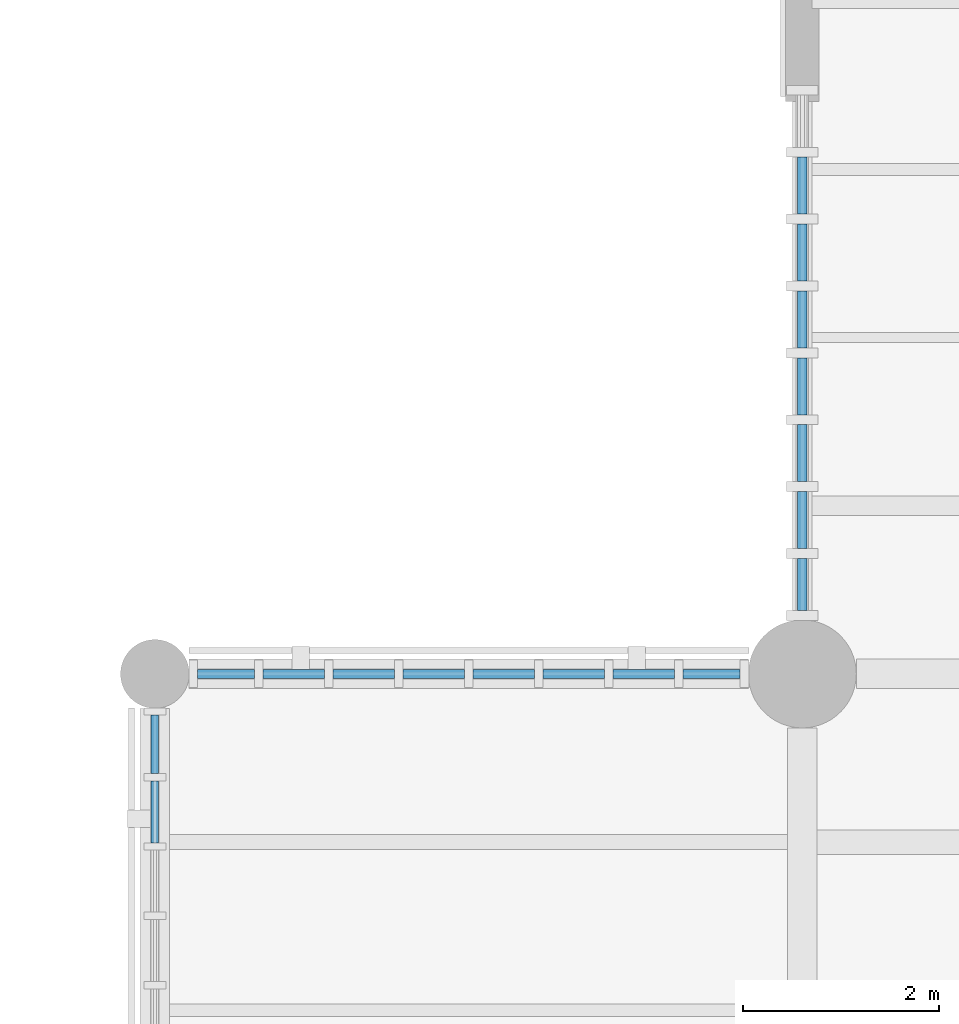
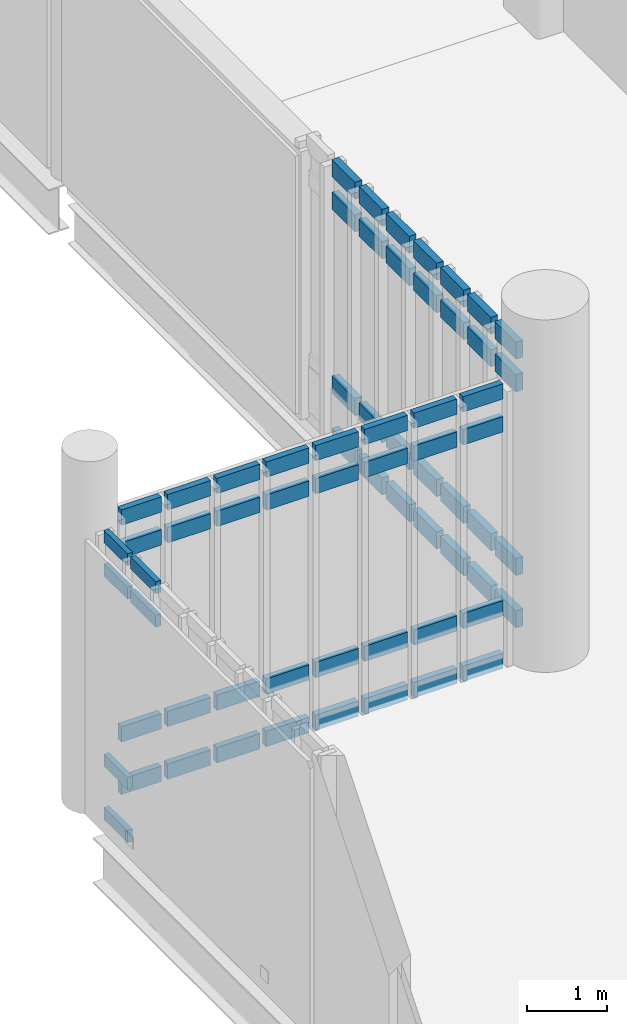
# One storey, part 53 of 135: 66 members, 3 elements without a shape of their own.
"""IFC4 building model written with IfcOpenShell, lengths in metres."""

from ifc_helpers import new_model, si_unit, direction, frame, origin, origin_2d, place, context, subcontext, project, spatial, rectangle, extrude, material, material_profile, profile_set, type_object, element, aggregate, save


model = new_model("IFC4")

# Units and contexts
model_context = context("Model", 3, precision=1e-05, world=origin(), true_north=direction((0.0, 1.0)))
body_context = subcontext(model_context, "Body", "Model", "MODEL_VIEW")
ifc_project = project(units=[si_unit("LENGTHUNIT", "METRE"), si_unit("AREAUNIT", "SQUARE_METRE"), si_unit("VOLUMEUNIT", "CUBIC_METRE"), si_unit("PLANEANGLEUNIT", "RADIAN"), si_unit("MASSUNIT", "GRAM", prefix="KILO")], contexts=[model_context])

# Site, building, storey
site_placement = place(None, origin())
site = spatial("IfcSite", under=ifc_project, at=site_placement, CompositionType="ELEMENT")
building_placement = place(site_placement, origin())
building = spatial("IfcBuilding", under=site, at=building_placement, Name="Larkvane Passage Sports Hall", CompositionType="ELEMENT")
storey_placement = place(building_placement, frame((0.0, 0.0, 16.800048828125)))
storey = spatial("IfcBuildingStorey", under=building, at=storey_placement, Name="L03", CompositionType="ELEMENT", Elevation=16.800048828125)

# Curtain wall, members
ifc_material_1 = material(Name="Thermally broken aluminium and low-E glazing", Category="aluminium")
curtain_wall_type_1 = type_object("IfcCurtainWallType", Name="CW-CLINIC", PredefinedType="USERDEFINED", material=ifc_material_1)
curtain_wall_1_placement = place(storey_placement, origin())
curtain_wall_1 = element("IfcCurtainWall", 1, at=curtain_wall_1_placement, inside=storey, type_object=curtain_wall_type_1, Name="Curtain wall CW5-L03-123", ObjectType="UNITISED CURTAIN WALL", PredefinedType="USERDEFINED")
ifc_material_2 = material(Name="Anodised aluminium 6063-T6", Category="aluminium")
ifc_material_profile_1 = material_profile(ifc_material_2, rectangle(XDim=0.10009765625, YDim=0.260009765625, at=origin_2d()), Name="ALU-TRN-100x260")
ifc_profile_set_1 = profile_set([ifc_material_profile_1], Name="Anodised aluminium 6063-T6")
member_type_1 = type_object("IfcMemberType", Name="CW-TRN-100x260", PredefinedType="USERDEFINED", material=ifc_profile_set_1)
member_1_placement = place(storey_placement, frame((124.60009765625, 52.24609375, 0.050048828125), z_axis=(0.0, 1.0, 0.0), x_axis=(-1.0, 0.0, 0.0)))
member_1 = element("IfcMember", 2, at=member_1_placement, type_object=member_type_1, Name="CW-05 transom 1.1", ObjectType="TRANSOM", PredefinedType="USERDEFINED", context=body_context, shape_type="SweptSolid", body=[
    extrude(rectangle(XDim=0.10009765625, YDim=0.260009765625, at=origin_2d()), origin(), (0.0, 0.0, 1.0), 0.53173828125),
])
member_2_placement = place(storey_placement, frame((124.60009765625, 52.24609375, 0.849853515625), z_axis=(0.0, 1.0, 0.0), x_axis=(-1.0, 0.0, 0.0)))
member_2 = element("IfcMember", 3, at=member_2_placement, type_object=member_type_1, Name="CW-05 transom 1.2", ObjectType="TRANSOM", PredefinedType="USERDEFINED", context=body_context, shape_type="SweptSolid", body=[
    extrude(rectangle(XDim=0.10009765625, YDim=0.260009765625, at=origin_2d()), origin(), (0.0, 0.0, 1.0), 0.53173828125),
])
member_3_placement = place(storey_placement, frame((124.60009765625, 52.24609375, 3.666015625), z_axis=(0.0, 1.0, 0.0), x_axis=(-1.0, 0.0, 0.0)))
member_3 = element("IfcMember", 4, at=member_3_placement, type_object=member_type_1, Name="CW-05 transom 1.3", ObjectType="TRANSOM", PredefinedType="USERDEFINED", context=body_context, shape_type="SweptSolid", body=[
    extrude(rectangle(XDim=0.10009765625, YDim=0.260009765625, at=origin_2d()), origin(), (0.0, 0.0, 1.0), 0.53173828125),
])
member_4_placement = place(storey_placement, frame((124.60009765625, 52.24609375, 4.166015625), z_axis=(0.0, 1.0, 0.0), x_axis=(-1.0, 0.0, 0.0)))
member_4 = element("IfcMember", 5, at=member_4_placement, type_object=member_type_1, Name="CW-05 transom 1.4", ObjectType="TRANSOM", PredefinedType="USERDEFINED", context=body_context, shape_type="SweptSolid", body=[
    extrude(rectangle(XDim=0.10009765625, YDim=0.260009765625, at=origin_2d()), origin(), (0.0, 0.0, 1.0), 0.53173828125),
])
member_5_placement = place(storey_placement, frame((124.60009765625, 52.877685546875, 0.050048828125), z_axis=(0.0, 1.0, 0.0), x_axis=(-1.0, 0.0, 0.0)))
member_5 = element("IfcMember", 6, at=member_5_placement, type_object=member_type_1, Name="CW-05 transom 2.1", ObjectType="TRANSOM", PredefinedType="USERDEFINED", context=body_context, shape_type="SweptSolid", body=[
    extrude(rectangle(XDim=0.10009765625, YDim=0.260009765625, at=origin_2d()), origin(), (0.0, 0.0, 1.0), 0.581787109375),
])
member_6_placement = place(storey_placement, frame((124.60009765625, 52.877685546875, 0.849853515625), z_axis=(0.0, 1.0, 0.0), x_axis=(-1.0, 0.0, 0.0)))
member_6 = element("IfcMember", 7, at=member_6_placement, type_object=member_type_1, Name="CW-05 transom 2.2", ObjectType="TRANSOM", PredefinedType="USERDEFINED", context=body_context, shape_type="SweptSolid", body=[
    extrude(rectangle(XDim=0.10009765625, YDim=0.260009765625, at=origin_2d()), origin(), (0.0, 0.0, 1.0), 0.581787109375),
])
member_7_placement = place(storey_placement, frame((124.60009765625, 52.877685546875, 3.666015625), z_axis=(0.0, 1.0, 0.0), x_axis=(-1.0, 0.0, 0.0)))
member_7 = element("IfcMember", 8, at=member_7_placement, type_object=member_type_1, Name="CW-05 transom 2.3", ObjectType="TRANSOM", PredefinedType="USERDEFINED", context=body_context, shape_type="SweptSolid", body=[
    extrude(rectangle(XDim=0.10009765625, YDim=0.260009765625, at=origin_2d()), origin(), (0.0, 0.0, 1.0), 0.581787109375),
])
member_8_placement = place(storey_placement, frame((124.60009765625, 52.877685546875, 4.166015625), z_axis=(0.0, 1.0, 0.0), x_axis=(-1.0, 0.0, 0.0)))
member_8 = element("IfcMember", 9, at=member_8_placement, type_object=member_type_1, Name="CW-05 transom 2.4", ObjectType="TRANSOM", PredefinedType="USERDEFINED", context=body_context, shape_type="SweptSolid", body=[
    extrude(rectangle(XDim=0.10009765625, YDim=0.260009765625, at=origin_2d()), origin(), (0.0, 0.0, 1.0), 0.581787109375),
])
member_9_placement = place(storey_placement, frame((124.60009765625, 53.5595703125, 0.050048828125), z_axis=(0.0, 1.0, 0.0), x_axis=(-1.0, 0.0, 0.0)))
member_9 = element("IfcMember", 10, at=member_9_placement, type_object=member_type_1, Name="CW-05 transom 3.1", ObjectType="TRANSOM", PredefinedType="USERDEFINED", context=body_context, shape_type="SweptSolid", body=[
    extrude(rectangle(XDim=0.10009765625, YDim=0.260009765625, at=origin_2d()), origin(), (0.0, 0.0, 1.0), 0.581787109375),
])
member_10_placement = place(storey_placement, frame((124.60009765625, 53.5595703125, 0.849853515625), z_axis=(0.0, 1.0, 0.0), x_axis=(-1.0, 0.0, 0.0)))
member_10 = element("IfcMember", 11, at=member_10_placement, type_object=member_type_1, Name="CW-05 transom 3.2", ObjectType="TRANSOM", PredefinedType="USERDEFINED", context=body_context, shape_type="SweptSolid", body=[
    extrude(rectangle(XDim=0.10009765625, YDim=0.260009765625, at=origin_2d()), origin(), (0.0, 0.0, 1.0), 0.581787109375),
])
member_11_placement = place(storey_placement, frame((124.60009765625, 53.5595703125, 3.666015625), z_axis=(0.0, 1.0, 0.0), x_axis=(-1.0, 0.0, 0.0)))
member_11 = element("IfcMember", 12, at=member_11_placement, type_object=member_type_1, Name="CW-05 transom 3.3", ObjectType="TRANSOM", PredefinedType="USERDEFINED", context=body_context, shape_type="SweptSolid", body=[
    extrude(rectangle(XDim=0.10009765625, YDim=0.260009765625, at=origin_2d()), origin(), (0.0, 0.0, 1.0), 0.581787109375),
])
member_12_placement = place(storey_placement, frame((124.60009765625, 53.5595703125, 4.166015625), z_axis=(0.0, 1.0, 0.0), x_axis=(-1.0, 0.0, 0.0)))
member_12 = element("IfcMember", 13, at=member_12_placement, type_object=member_type_1, Name="CW-05 transom 3.4", ObjectType="TRANSOM", PredefinedType="USERDEFINED", context=body_context, shape_type="SweptSolid", body=[
    extrude(rectangle(XDim=0.10009765625, YDim=0.260009765625, at=origin_2d()), origin(), (0.0, 0.0, 1.0), 0.581787109375),
])
member_13_placement = place(storey_placement, frame((124.60009765625, 54.2412109375, 0.050048828125), z_axis=(0.0, 1.0, 0.0), x_axis=(-1.0, 0.0, 0.0)))
member_13 = element("IfcMember", 14, at=member_13_placement, type_object=member_type_1, Name="CW-05 transom 4.1", ObjectType="TRANSOM", PredefinedType="USERDEFINED", context=body_context, shape_type="SweptSolid", body=[
    extrude(rectangle(XDim=0.10009765625, YDim=0.260009765625, at=origin_2d()), origin(), (0.0, 0.0, 1.0), 0.581787109375),
])
member_14_placement = place(storey_placement, frame((124.60009765625, 54.2412109375, 0.849853515625), z_axis=(0.0, 1.0, 0.0), x_axis=(-1.0, 0.0, 0.0)))
member_14 = element("IfcMember", 15, at=member_14_placement, type_object=member_type_1, Name="CW-05 transom 4.2", ObjectType="TRANSOM", PredefinedType="USERDEFINED", context=body_context, shape_type="SweptSolid", body=[
    extrude(rectangle(XDim=0.10009765625, YDim=0.260009765625, at=origin_2d()), origin(), (0.0, 0.0, 1.0), 0.581787109375),
])
member_15_placement = place(storey_placement, frame((124.60009765625, 54.2412109375, 3.666015625), z_axis=(0.0, 1.0, 0.0), x_axis=(-1.0, 0.0, 0.0)))
member_15 = element("IfcMember", 16, at=member_15_placement, type_object=member_type_1, Name="CW-05 transom 4.3", ObjectType="TRANSOM", PredefinedType="USERDEFINED", context=body_context, shape_type="SweptSolid", body=[
    extrude(rectangle(XDim=0.10009765625, YDim=0.260009765625, at=origin_2d()), origin(), (0.0, 0.0, 1.0), 0.581787109375),
])
member_16_placement = place(storey_placement, frame((124.60009765625, 54.2412109375, 4.166015625), z_axis=(0.0, 1.0, 0.0), x_axis=(-1.0, 0.0, 0.0)))
member_16 = element("IfcMember", 17, at=member_16_placement, type_object=member_type_1, Name="CW-05 transom 4.4", ObjectType="TRANSOM", PredefinedType="USERDEFINED", context=body_context, shape_type="SweptSolid", body=[
    extrude(rectangle(XDim=0.10009765625, YDim=0.260009765625, at=origin_2d()), origin(), (0.0, 0.0, 1.0), 0.581787109375),
])
member_17_placement = place(storey_placement, frame((124.60009765625, 54.923095703125, 0.050048828125), z_axis=(0.0, 1.0, 0.0), x_axis=(-1.0, 0.0, 0.0)))
member_17 = element("IfcMember", 18, at=member_17_placement, type_object=member_type_1, Name="CW-05 transom 5.1", ObjectType="TRANSOM", PredefinedType="USERDEFINED", context=body_context, shape_type="SweptSolid", body=[
    extrude(rectangle(XDim=0.10009765625, YDim=0.260009765625, at=origin_2d()), origin(), (0.0, 0.0, 1.0), 0.58154296875),
])
member_18_placement = place(storey_placement, frame((124.60009765625, 54.923095703125, 0.849853515625), z_axis=(0.0, 1.0, 0.0), x_axis=(-1.0, 0.0, 0.0)))
member_18 = element("IfcMember", 19, at=member_18_placement, type_object=member_type_1, Name="CW-05 transom 5.2", ObjectType="TRANSOM", PredefinedType="USERDEFINED", context=body_context, shape_type="SweptSolid", body=[
    extrude(rectangle(XDim=0.10009765625, YDim=0.260009765625, at=origin_2d()), origin(), (0.0, 0.0, 1.0), 0.58154296875),
])
member_19_placement = place(storey_placement, frame((124.60009765625, 54.923095703125, 3.666015625), z_axis=(0.0, 1.0, 0.0), x_axis=(-1.0, 0.0, 0.0)))
member_19 = element("IfcMember", 20, at=member_19_placement, type_object=member_type_1, Name="CW-05 transom 5.3", ObjectType="TRANSOM", PredefinedType="USERDEFINED", context=body_context, shape_type="SweptSolid", body=[
    extrude(rectangle(XDim=0.10009765625, YDim=0.260009765625, at=origin_2d()), origin(), (0.0, 0.0, 1.0), 0.58154296875),
])
member_20_placement = place(storey_placement, frame((124.60009765625, 54.923095703125, 4.166015625), z_axis=(0.0, 1.0, 0.0), x_axis=(-1.0, 0.0, 0.0)))
member_20 = element("IfcMember", 21, at=member_20_placement, type_object=member_type_1, Name="CW-05 transom 5.4", ObjectType="TRANSOM", PredefinedType="USERDEFINED", context=body_context, shape_type="SweptSolid", body=[
    extrude(rectangle(XDim=0.10009765625, YDim=0.260009765625, at=origin_2d()), origin(), (0.0, 0.0, 1.0), 0.58154296875),
])
member_21_placement = place(storey_placement, frame((124.60009765625, 55.604736328125, 0.050048828125), z_axis=(0.0, 1.0, 0.0), x_axis=(-1.0, 0.0, 0.0)))
member_21 = element("IfcMember", 22, at=member_21_placement, type_object=member_type_1, Name="CW-05 transom 6.1", ObjectType="TRANSOM", PredefinedType="USERDEFINED", context=body_context, shape_type="SweptSolid", body=[
    extrude(rectangle(XDim=0.10009765625, YDim=0.260009765625, at=origin_2d()), origin(), (0.0, 0.0, 1.0), 0.581787109375),
])
member_22_placement = place(storey_placement, frame((124.60009765625, 55.604736328125, 0.849853515625), z_axis=(0.0, 1.0, 0.0), x_axis=(-1.0, 0.0, 0.0)))
member_22 = element("IfcMember", 23, at=member_22_placement, type_object=member_type_1, Name="CW-05 transom 6.2", ObjectType="TRANSOM", PredefinedType="USERDEFINED", context=body_context, shape_type="SweptSolid", body=[
    extrude(rectangle(XDim=0.10009765625, YDim=0.260009765625, at=origin_2d()), origin(), (0.0, 0.0, 1.0), 0.581787109375),
])
member_23_placement = place(storey_placement, frame((124.60009765625, 55.604736328125, 3.666015625), z_axis=(0.0, 1.0, 0.0), x_axis=(-1.0, 0.0, 0.0)))
member_23 = element("IfcMember", 24, at=member_23_placement, type_object=member_type_1, Name="CW-05 transom 6.3", ObjectType="TRANSOM", PredefinedType="USERDEFINED", context=body_context, shape_type="SweptSolid", body=[
    extrude(rectangle(XDim=0.10009765625, YDim=0.260009765625, at=origin_2d()), origin(), (0.0, 0.0, 1.0), 0.581787109375),
])
member_24_placement = place(storey_placement, frame((124.60009765625, 55.604736328125, 4.166015625), z_axis=(0.0, 1.0, 0.0), x_axis=(-1.0, 0.0, 0.0)))
member_24 = element("IfcMember", 25, at=member_24_placement, type_object=member_type_1, Name="CW-05 transom 6.4", ObjectType="TRANSOM", PredefinedType="USERDEFINED", context=body_context, shape_type="SweptSolid", body=[
    extrude(rectangle(XDim=0.10009765625, YDim=0.260009765625, at=origin_2d()), origin(), (0.0, 0.0, 1.0), 0.581787109375),
])
member_25_placement = place(storey_placement, frame((124.60009765625, 56.28662109375, 0.050048828125), z_axis=(0.0, 1.0, 0.0), x_axis=(-1.0, 0.0, 0.0)))
member_25 = element("IfcMember", 26, at=member_25_placement, type_object=member_type_1, Name="CW-05 transom 7.1", ObjectType="TRANSOM", PredefinedType="USERDEFINED", context=body_context, shape_type="SweptSolid", body=[
    extrude(rectangle(XDim=0.10009765625, YDim=0.260009765625, at=origin_2d()), origin(), (0.0, 0.0, 1.0), 0.58154296875),
])
member_26_placement = place(storey_placement, frame((124.60009765625, 56.28662109375, 0.849853515625), z_axis=(0.0, 1.0, 0.0), x_axis=(-1.0, 0.0, 0.0)))
member_26 = element("IfcMember", 27, at=member_26_placement, type_object=member_type_1, Name="CW-05 transom 7.2", ObjectType="TRANSOM", PredefinedType="USERDEFINED", context=body_context, shape_type="SweptSolid", body=[
    extrude(rectangle(XDim=0.10009765625, YDim=0.260009765625, at=origin_2d()), origin(), (0.0, 0.0, 1.0), 0.58154296875),
])
member_27_placement = place(storey_placement, frame((124.60009765625, 56.28662109375, 3.666015625), z_axis=(0.0, 1.0, 0.0), x_axis=(-1.0, 0.0, 0.0)))
member_27 = element("IfcMember", 28, at=member_27_placement, type_object=member_type_1, Name="CW-05 transom 7.3", ObjectType="TRANSOM", PredefinedType="USERDEFINED", context=body_context, shape_type="SweptSolid", body=[
    extrude(rectangle(XDim=0.10009765625, YDim=0.260009765625, at=origin_2d()), origin(), (0.0, 0.0, 1.0), 0.58154296875),
])
member_28_placement = place(storey_placement, frame((124.60009765625, 56.28662109375, 4.166015625), z_axis=(0.0, 1.0, 0.0), x_axis=(-1.0, 0.0, 0.0)))
member_28 = element("IfcMember", 29, at=member_28_placement, type_object=member_type_1, Name="CW-05 transom 7.4", ObjectType="TRANSOM", PredefinedType="USERDEFINED", context=body_context, shape_type="SweptSolid", body=[
    extrude(rectangle(XDim=0.10009765625, YDim=0.260009765625, at=origin_2d()), origin(), (0.0, 0.0, 1.0), 0.58154296875),
])
aggregate(curtain_wall_1, [member_1, member_2, member_3, member_4, member_5, member_6, member_7, member_8, member_9, member_10, member_11, member_12, member_13, member_14, member_15, member_16, member_17, member_18, member_19, member_20, member_21, member_22, member_23, member_24, member_25, member_26, member_27, member_28])

curtain_wall_type_2 = type_object("IfcCurtainWallType", Name="CW-UNIT-VEIL", PredefinedType="USERDEFINED", material=ifc_material_1)
curtain_wall_2_placement = place(storey_placement, origin())
curtain_wall_2 = element("IfcCurtainWall", 30, at=curtain_wall_2_placement, inside=storey, type_object=curtain_wall_type_2, Name="Curtain wall CW5-L03-121", ObjectType="UNITISED CURTAIN WALL", PredefinedType="USERDEFINED")
ifc_material_profile_2 = material_profile(ifc_material_2, rectangle(XDim=0.074951171875, YDim=0.18505859375, at=origin_2d()), Name="ALU-TRN-75x185")
ifc_profile_set_2 = profile_set([ifc_material_profile_2], Name="Anodised aluminium 6063-T6")
member_type_2 = type_object("IfcMemberType", Name="CW-TRN-75x185", PredefinedType="USERDEFINED", material=ifc_profile_set_2)
member_29_placement = place(storey_placement, frame((118.0, 49.8779296875, 3.765869140625), z_axis=(0.0, 1.0, 0.0), x_axis=(-1.0, 0.0, 0.0)))
member_29 = element("IfcMember", 31, at=member_29_placement, type_object=member_type_2, Name="CW-02 transom 7.3", ObjectType="TRANSOM", PredefinedType="USERDEFINED", context=body_context, shape_type="SweptSolid", body=[
    extrude(rectangle(XDim=0.074951171875, YDim=0.18505859375, at=origin_2d()), origin(), (0.0, 0.0, 1.0), 0.6318359375),
])
member_30_placement = place(storey_placement, frame((118.0, 49.8779296875, 4.278564453125), z_axis=(0.0, 1.0, 0.0), x_axis=(-1.0, 0.0, 0.0)))
member_30 = element("IfcMember", 32, at=member_30_placement, type_object=member_type_2, Name="CW-02 transom 7.4", ObjectType="TRANSOM", PredefinedType="USERDEFINED", context=body_context, shape_type="SweptSolid", body=[
    extrude(rectangle(XDim=0.074951171875, YDim=0.18505859375, at=origin_2d()), origin(), (0.0, 0.0, 1.0), 0.6318359375),
])
member_31_placement = place(storey_placement, frame((118.0, 50.584716796875, 0.037353515625), z_axis=(0.0, 1.0, 0.0), x_axis=(-1.0, 0.0, 0.0)))
member_31 = element("IfcMember", 33, at=member_31_placement, type_object=member_type_2, Name="CW-02 transom 8.1", ObjectType="TRANSOM", PredefinedType="USERDEFINED", context=body_context, shape_type="SweptSolid", body=[
    extrude(rectangle(XDim=0.074951171875, YDim=0.18505859375, at=origin_2d()), origin(), (0.0, 0.0, 1.0), 0.59423828125),
])
member_32_placement = place(storey_placement, frame((118.0, 50.584716796875, 0.849853515625), z_axis=(0.0, 1.0, 0.0), x_axis=(-1.0, 0.0, 0.0)))
member_32 = element("IfcMember", 34, at=member_32_placement, type_object=member_type_2, Name="CW-02 transom 8.2", ObjectType="TRANSOM", PredefinedType="USERDEFINED", context=body_context, shape_type="SweptSolid", body=[
    extrude(rectangle(XDim=0.074951171875, YDim=0.18505859375, at=origin_2d()), origin(), (0.0, 0.0, 1.0), 0.59423828125),
])
member_33_placement = place(storey_placement, frame((118.0, 50.584716796875, 3.765869140625), z_axis=(0.0, 1.0, 0.0), x_axis=(-1.0, 0.0, 0.0)))
member_33 = element("IfcMember", 35, at=member_33_placement, type_object=member_type_2, Name="CW-02 transom 8.3", ObjectType="TRANSOM", PredefinedType="USERDEFINED", context=body_context, shape_type="SweptSolid", body=[
    extrude(rectangle(XDim=0.074951171875, YDim=0.18505859375, at=origin_2d()), origin(), (0.0, 0.0, 1.0), 0.59423828125),
])
member_34_placement = place(storey_placement, frame((118.0, 50.584716796875, 4.278564453125), z_axis=(0.0, 1.0, 0.0), x_axis=(-1.0, 0.0, 0.0)))
member_34 = element("IfcMember", 36, at=member_34_placement, type_object=member_type_2, Name="CW-02 transom 8.4", ObjectType="TRANSOM", PredefinedType="USERDEFINED", context=body_context, shape_type="SweptSolid", body=[
    extrude(rectangle(XDim=0.074951171875, YDim=0.18505859375, at=origin_2d()), origin(), (0.0, 0.0, 1.0), 0.59423828125),
])
aggregate(curtain_wall_2, [member_29, member_30, member_31, member_32, member_33, member_34])

curtain_wall_type_3 = type_object("IfcCurtainWallType", Name="CW-STICK-FOYER", PredefinedType="USERDEFINED", material=ifc_material_1)
curtain_wall_3_placement = place(storey_placement, origin())
curtain_wall_3 = element("IfcCurtainWall", 37, at=curtain_wall_3_placement, inside=storey, type_object=curtain_wall_type_3, Name="Curtain wall CW5-L03-122", ObjectType="STICK CURTAIN WALL", PredefinedType="USERDEFINED")
ifc_material_profile_3 = material_profile(ifc_material_2, rectangle(XDim=0.090087890625, YDim=0.235107421875, at=origin_2d()), Name="ALU-TRN-90x235")
ifc_profile_set_3 = profile_set([ifc_material_profile_3], Name="Anodised aluminium 6063-T6")
member_type_3 = type_object("IfcMemberType", Name="CW-TRN-90x235", PredefinedType="USERDEFINED", material=ifc_profile_set_3)
member_35_placement = place(storey_placement, frame((118.43603515625, 51.60009765625, 0.044921875), z_axis=(1.0, 0.0, 0.0), x_axis=(0.0, 1.0, 0.0)))
member_35 = element("IfcMember", 38, at=member_35_placement, type_object=member_type_3, Name="CW-03 transom 1.1", ObjectType="TRANSOM", PredefinedType="USERDEFINED", context=body_context, shape_type="SweptSolid", body=[
    extrude(rectangle(XDim=0.090087890625, YDim=0.235107421875, at=origin_2d()), origin(), (0.0, 0.0, 1.0), 0.578369140625),
])
member_36_placement = place(storey_placement, frame((118.43603515625, 51.60009765625, 0.849853515625), z_axis=(1.0, 0.0, 0.0), x_axis=(0.0, 1.0, 0.0)))
member_36 = element("IfcMember", 39, at=member_36_placement, type_object=member_type_3, Name="CW-03 transom 1.2", ObjectType="TRANSOM", PredefinedType="USERDEFINED", context=body_context, shape_type="SweptSolid", body=[
    extrude(rectangle(XDim=0.090087890625, YDim=0.235107421875, at=origin_2d()), origin(), (0.0, 0.0, 1.0), 0.578369140625),
])
member_37_placement = place(storey_placement, frame((118.43603515625, 51.60009765625, 3.666015625), z_axis=(1.0, 0.0, 0.0), x_axis=(0.0, 1.0, 0.0)))
member_37 = element("IfcMember", 40, at=member_37_placement, type_object=member_type_3, Name="CW-03 transom 1.3", ObjectType="TRANSOM", PredefinedType="USERDEFINED", context=body_context, shape_type="SweptSolid", body=[
    extrude(rectangle(XDim=0.090087890625, YDim=0.235107421875, at=origin_2d()), origin(), (0.0, 0.0, 1.0), 0.578369140625),
])
member_38_placement = place(storey_placement, frame((118.43603515625, 51.60009765625, 4.1708984375), z_axis=(1.0, 0.0, 0.0), x_axis=(0.0, 1.0, 0.0)))
member_38 = element("IfcMember", 41, at=member_38_placement, type_object=member_type_3, Name="CW-03 transom 1.4", ObjectType="TRANSOM", PredefinedType="USERDEFINED", context=body_context, shape_type="SweptSolid", body=[
    extrude(rectangle(XDim=0.090087890625, YDim=0.235107421875, at=origin_2d()), origin(), (0.0, 0.0, 1.0), 0.578369140625),
])
member_39_placement = place(storey_placement, frame((119.1044921875, 51.60009765625, 0.044921875), z_axis=(1.0, 0.0, 0.0), x_axis=(0.0, 1.0, 0.0)))
member_39 = element("IfcMember", 42, at=member_39_placement, type_object=member_type_3, Name="CW-03 transom 2.1", ObjectType="TRANSOM", PredefinedType="USERDEFINED", context=body_context, shape_type="SweptSolid", body=[
    extrude(rectangle(XDim=0.090087890625, YDim=0.235107421875, at=origin_2d()), origin(), (0.0, 0.0, 1.0), 0.62353515625),
])
member_40_placement = place(storey_placement, frame((119.1044921875, 51.60009765625, 0.849853515625), z_axis=(1.0, 0.0, 0.0), x_axis=(0.0, 1.0, 0.0)))
member_40 = element("IfcMember", 43, at=member_40_placement, type_object=member_type_3, Name="CW-03 transom 2.2", ObjectType="TRANSOM", PredefinedType="USERDEFINED", context=body_context, shape_type="SweptSolid", body=[
    extrude(rectangle(XDim=0.090087890625, YDim=0.235107421875, at=origin_2d()), origin(), (0.0, 0.0, 1.0), 0.62353515625),
])
member_41_placement = place(storey_placement, frame((119.1044921875, 51.60009765625, 3.666015625), z_axis=(1.0, 0.0, 0.0), x_axis=(0.0, 1.0, 0.0)))
member_41 = element("IfcMember", 44, at=member_41_placement, type_object=member_type_3, Name="CW-03 transom 2.3", ObjectType="TRANSOM", PredefinedType="USERDEFINED", context=body_context, shape_type="SweptSolid", body=[
    extrude(rectangle(XDim=0.090087890625, YDim=0.235107421875, at=origin_2d()), origin(), (0.0, 0.0, 1.0), 0.62353515625),
])
member_42_placement = place(storey_placement, frame((119.1044921875, 51.60009765625, 4.1708984375), z_axis=(1.0, 0.0, 0.0), x_axis=(0.0, 1.0, 0.0)))
member_42 = element("IfcMember", 45, at=member_42_placement, type_object=member_type_3, Name="CW-03 transom 2.4", ObjectType="TRANSOM", PredefinedType="USERDEFINED", context=body_context, shape_type="SweptSolid", body=[
    extrude(rectangle(XDim=0.090087890625, YDim=0.235107421875, at=origin_2d()), origin(), (0.0, 0.0, 1.0), 0.62353515625),
])
member_43_placement = place(storey_placement, frame((119.818115234375, 51.60009765625, 0.044921875), z_axis=(1.0, 0.0, 0.0), x_axis=(0.0, 1.0, 0.0)))
member_43 = element("IfcMember", 46, at=member_43_placement, type_object=member_type_3, Name="CW-03 transom 3.1", ObjectType="TRANSOM", PredefinedType="USERDEFINED", context=body_context, shape_type="SweptSolid", body=[
    extrude(rectangle(XDim=0.090087890625, YDim=0.235107421875, at=origin_2d()), origin(), (0.0, 0.0, 1.0), 0.623291015625),
])
member_44_placement = place(storey_placement, frame((119.818115234375, 51.60009765625, 0.849853515625), z_axis=(1.0, 0.0, 0.0), x_axis=(0.0, 1.0, 0.0)))
member_44 = element("IfcMember", 47, at=member_44_placement, type_object=member_type_3, Name="CW-03 transom 3.2", ObjectType="TRANSOM", PredefinedType="USERDEFINED", context=body_context, shape_type="SweptSolid", body=[
    extrude(rectangle(XDim=0.090087890625, YDim=0.235107421875, at=origin_2d()), origin(), (0.0, 0.0, 1.0), 0.623291015625),
])
member_45_placement = place(storey_placement, frame((119.818115234375, 51.60009765625, 3.666015625), z_axis=(1.0, 0.0, 0.0), x_axis=(0.0, 1.0, 0.0)))
member_45 = element("IfcMember", 48, at=member_45_placement, type_object=member_type_3, Name="CW-03 transom 3.3", ObjectType="TRANSOM", PredefinedType="USERDEFINED", context=body_context, shape_type="SweptSolid", body=[
    extrude(rectangle(XDim=0.090087890625, YDim=0.235107421875, at=origin_2d()), origin(), (0.0, 0.0, 1.0), 0.623291015625),
])
member_46_placement = place(storey_placement, frame((119.818115234375, 51.60009765625, 4.1708984375), z_axis=(1.0, 0.0, 0.0), x_axis=(0.0, 1.0, 0.0)))
member_46 = element("IfcMember", 49, at=member_46_placement, type_object=member_type_3, Name="CW-03 transom 3.4", ObjectType="TRANSOM", PredefinedType="USERDEFINED", context=body_context, shape_type="SweptSolid", body=[
    extrude(rectangle(XDim=0.090087890625, YDim=0.235107421875, at=origin_2d()), origin(), (0.0, 0.0, 1.0), 0.623291015625),
])
member_47_placement = place(storey_placement, frame((120.531494140625, 51.60009765625, 0.044921875), z_axis=(1.0, 0.0, 0.0), x_axis=(0.0, 1.0, 0.0)))
member_47 = element("IfcMember", 50, at=member_47_placement, type_object=member_type_3, Name="CW-03 transom 4.1", ObjectType="TRANSOM", PredefinedType="USERDEFINED", context=body_context, shape_type="SweptSolid", body=[
    extrude(rectangle(XDim=0.090087890625, YDim=0.235107421875, at=origin_2d()), origin(), (0.0, 0.0, 1.0), 0.62353515625),
])
member_48_placement = place(storey_placement, frame((120.531494140625, 51.60009765625, 0.849853515625), z_axis=(1.0, 0.0, 0.0), x_axis=(0.0, 1.0, 0.0)))
member_48 = element("IfcMember", 51, at=member_48_placement, type_object=member_type_3, Name="CW-03 transom 4.2", ObjectType="TRANSOM", PredefinedType="USERDEFINED", context=body_context, shape_type="SweptSolid", body=[
    extrude(rectangle(XDim=0.090087890625, YDim=0.235107421875, at=origin_2d()), origin(), (0.0, 0.0, 1.0), 0.62353515625),
])
member_49_placement = place(storey_placement, frame((120.531494140625, 51.60009765625, 3.666015625), z_axis=(1.0, 0.0, 0.0), x_axis=(0.0, 1.0, 0.0)))
member_49 = element("IfcMember", 52, at=member_49_placement, type_object=member_type_3, Name="CW-03 transom 4.3", ObjectType="TRANSOM", PredefinedType="USERDEFINED", context=body_context, shape_type="SweptSolid", body=[
    extrude(rectangle(XDim=0.090087890625, YDim=0.235107421875, at=origin_2d()), origin(), (0.0, 0.0, 1.0), 0.62353515625),
])
member_50_placement = place(storey_placement, frame((120.531494140625, 51.60009765625, 4.1708984375), z_axis=(1.0, 0.0, 0.0), x_axis=(0.0, 1.0, 0.0)))
member_50 = element("IfcMember", 53, at=member_50_placement, type_object=member_type_3, Name="CW-03 transom 4.4", ObjectType="TRANSOM", PredefinedType="USERDEFINED", context=body_context, shape_type="SweptSolid", body=[
    extrude(rectangle(XDim=0.090087890625, YDim=0.235107421875, at=origin_2d()), origin(), (0.0, 0.0, 1.0), 0.62353515625),
])
member_51_placement = place(storey_placement, frame((121.2451171875, 51.60009765625, 0.044921875), z_axis=(1.0, 0.0, 0.0), x_axis=(0.0, 1.0, 0.0)))
member_51 = element("IfcMember", 54, at=member_51_placement, type_object=member_type_3, Name="CW-03 transom 5.1", ObjectType="TRANSOM", PredefinedType="USERDEFINED", context=body_context, shape_type="SweptSolid", body=[
    extrude(rectangle(XDim=0.090087890625, YDim=0.235107421875, at=origin_2d()), origin(), (0.0, 0.0, 1.0), 0.623291015625),
])
member_52_placement = place(storey_placement, frame((121.2451171875, 51.60009765625, 0.849853515625), z_axis=(1.0, 0.0, 0.0), x_axis=(0.0, 1.0, 0.0)))
member_52 = element("IfcMember", 55, at=member_52_placement, type_object=member_type_3, Name="CW-03 transom 5.2", ObjectType="TRANSOM", PredefinedType="USERDEFINED", context=body_context, shape_type="SweptSolid", body=[
    extrude(rectangle(XDim=0.090087890625, YDim=0.235107421875, at=origin_2d()), origin(), (0.0, 0.0, 1.0), 0.623291015625),
])
member_53_placement = place(storey_placement, frame((121.2451171875, 51.60009765625, 3.666015625), z_axis=(1.0, 0.0, 0.0), x_axis=(0.0, 1.0, 0.0)))
member_53 = element("IfcMember", 56, at=member_53_placement, type_object=member_type_3, Name="CW-03 transom 5.3", ObjectType="TRANSOM", PredefinedType="USERDEFINED", context=body_context, shape_type="SweptSolid", body=[
    extrude(rectangle(XDim=0.090087890625, YDim=0.235107421875, at=origin_2d()), origin(), (0.0, 0.0, 1.0), 0.623291015625),
])
member_54_placement = place(storey_placement, frame((121.2451171875, 51.60009765625, 4.1708984375), z_axis=(1.0, 0.0, 0.0), x_axis=(0.0, 1.0, 0.0)))
member_54 = element("IfcMember", 57, at=member_54_placement, type_object=member_type_3, Name="CW-03 transom 5.4", ObjectType="TRANSOM", PredefinedType="USERDEFINED", context=body_context, shape_type="SweptSolid", body=[
    extrude(rectangle(XDim=0.090087890625, YDim=0.235107421875, at=origin_2d()), origin(), (0.0, 0.0, 1.0), 0.623291015625),
])
member_55_placement = place(storey_placement, frame((121.95849609375, 51.60009765625, 0.044921875), z_axis=(1.0, 0.0, 0.0), x_axis=(0.0, 1.0, 0.0)))
member_55 = element("IfcMember", 58, at=member_55_placement, type_object=member_type_3, Name="CW-03 transom 6.1", ObjectType="TRANSOM", PredefinedType="USERDEFINED", context=body_context, shape_type="SweptSolid", body=[
    extrude(rectangle(XDim=0.090087890625, YDim=0.235107421875, at=origin_2d()), origin(), (0.0, 0.0, 1.0), 0.62353515625),
])
member_56_placement = place(storey_placement, frame((121.95849609375, 51.60009765625, 0.849853515625), z_axis=(1.0, 0.0, 0.0), x_axis=(0.0, 1.0, 0.0)))
member_56 = element("IfcMember", 59, at=member_56_placement, type_object=member_type_3, Name="CW-03 transom 6.2", ObjectType="TRANSOM", PredefinedType="USERDEFINED", context=body_context, shape_type="SweptSolid", body=[
    extrude(rectangle(XDim=0.090087890625, YDim=0.235107421875, at=origin_2d()), origin(), (0.0, 0.0, 1.0), 0.62353515625),
])
member_57_placement = place(storey_placement, frame((121.95849609375, 51.60009765625, 3.666015625), z_axis=(1.0, 0.0, 0.0), x_axis=(0.0, 1.0, 0.0)))
member_57 = element("IfcMember", 60, at=member_57_placement, type_object=member_type_3, Name="CW-03 transom 6.3", ObjectType="TRANSOM", PredefinedType="USERDEFINED", context=body_context, shape_type="SweptSolid", body=[
    extrude(rectangle(XDim=0.090087890625, YDim=0.235107421875, at=origin_2d()), origin(), (0.0, 0.0, 1.0), 0.62353515625),
])
member_58_placement = place(storey_placement, frame((121.95849609375, 51.60009765625, 4.1708984375), z_axis=(1.0, 0.0, 0.0), x_axis=(0.0, 1.0, 0.0)))
member_58 = element("IfcMember", 61, at=member_58_placement, type_object=member_type_3, Name="CW-03 transom 6.4", ObjectType="TRANSOM", PredefinedType="USERDEFINED", context=body_context, shape_type="SweptSolid", body=[
    extrude(rectangle(XDim=0.090087890625, YDim=0.235107421875, at=origin_2d()), origin(), (0.0, 0.0, 1.0), 0.62353515625),
])
member_59_placement = place(storey_placement, frame((122.672119140625, 51.60009765625, 0.044921875), z_axis=(1.0, 0.0, 0.0), x_axis=(0.0, 1.0, 0.0)))
member_59 = element("IfcMember", 62, at=member_59_placement, type_object=member_type_3, Name="CW-03 transom 7.1", ObjectType="TRANSOM", PredefinedType="USERDEFINED", context=body_context, shape_type="SweptSolid", body=[
    extrude(rectangle(XDim=0.090087890625, YDim=0.235107421875, at=origin_2d()), origin(), (0.0, 0.0, 1.0), 0.623291015625),
])
member_60_placement = place(storey_placement, frame((122.672119140625, 51.60009765625, 0.849853515625), z_axis=(1.0, 0.0, 0.0), x_axis=(0.0, 1.0, 0.0)))
member_60 = element("IfcMember", 63, at=member_60_placement, type_object=member_type_3, Name="CW-03 transom 7.2", ObjectType="TRANSOM", PredefinedType="USERDEFINED", context=body_context, shape_type="SweptSolid", body=[
    extrude(rectangle(XDim=0.090087890625, YDim=0.235107421875, at=origin_2d()), origin(), (0.0, 0.0, 1.0), 0.623291015625),
])
member_61_placement = place(storey_placement, frame((122.672119140625, 51.60009765625, 3.666015625), z_axis=(1.0, 0.0, 0.0), x_axis=(0.0, 1.0, 0.0)))
member_61 = element("IfcMember", 64, at=member_61_placement, type_object=member_type_3, Name="CW-03 transom 7.3", ObjectType="TRANSOM", PredefinedType="USERDEFINED", context=body_context, shape_type="SweptSolid", body=[
    extrude(rectangle(XDim=0.090087890625, YDim=0.235107421875, at=origin_2d()), origin(), (0.0, 0.0, 1.0), 0.623291015625),
])
member_62_placement = place(storey_placement, frame((122.672119140625, 51.60009765625, 4.1708984375), z_axis=(1.0, 0.0, 0.0), x_axis=(0.0, 1.0, 0.0)))
member_62 = element("IfcMember", 65, at=member_62_placement, type_object=member_type_3, Name="CW-03 transom 7.4", ObjectType="TRANSOM", PredefinedType="USERDEFINED", context=body_context, shape_type="SweptSolid", body=[
    extrude(rectangle(XDim=0.090087890625, YDim=0.235107421875, at=origin_2d()), origin(), (0.0, 0.0, 1.0), 0.623291015625),
])
member_63_placement = place(storey_placement, frame((123.385498046875, 51.60009765625, 0.044921875), z_axis=(1.0, 0.0, 0.0), x_axis=(0.0, 1.0, 0.0)))
member_63 = element("IfcMember", 66, at=member_63_placement, type_object=member_type_3, Name="CW-03 transom 8.1", ObjectType="TRANSOM", PredefinedType="USERDEFINED", context=body_context, shape_type="SweptSolid", body=[
    extrude(rectangle(XDim=0.090087890625, YDim=0.235107421875, at=origin_2d()), origin(), (0.0, 0.0, 1.0), 0.57861328125),
])
member_64_placement = place(storey_placement, frame((123.385498046875, 51.60009765625, 0.849853515625), z_axis=(1.0, 0.0, 0.0), x_axis=(0.0, 1.0, 0.0)))
member_64 = element("IfcMember", 67, at=member_64_placement, type_object=member_type_3, Name="CW-03 transom 8.2", ObjectType="TRANSOM", PredefinedType="USERDEFINED", context=body_context, shape_type="SweptSolid", body=[
    extrude(rectangle(XDim=0.090087890625, YDim=0.235107421875, at=origin_2d()), origin(), (0.0, 0.0, 1.0), 0.57861328125),
])
member_65_placement = place(storey_placement, frame((123.385498046875, 51.60009765625, 3.666015625), z_axis=(1.0, 0.0, 0.0), x_axis=(0.0, 1.0, 0.0)))
member_65 = element("IfcMember", 68, at=member_65_placement, type_object=member_type_3, Name="CW-03 transom 8.3", ObjectType="TRANSOM", PredefinedType="USERDEFINED", context=body_context, shape_type="SweptSolid", body=[
    extrude(rectangle(XDim=0.090087890625, YDim=0.235107421875, at=origin_2d()), origin(), (0.0, 0.0, 1.0), 0.57861328125),
])
member_66_placement = place(storey_placement, frame((123.385498046875, 51.60009765625, 4.1708984375), z_axis=(1.0, 0.0, 0.0), x_axis=(0.0, 1.0, 0.0)))
member_66 = element("IfcMember", 69, at=member_66_placement, type_object=member_type_3, Name="CW-03 transom 8.4", ObjectType="TRANSOM", PredefinedType="USERDEFINED", context=body_context, shape_type="SweptSolid", body=[
    extrude(rectangle(XDim=0.090087890625, YDim=0.235107421875, at=origin_2d()), origin(), (0.0, 0.0, 1.0), 0.57861328125),
])
aggregate(curtain_wall_3, [member_35, member_36, member_37, member_38, member_39, member_40, member_41, member_42, member_43, member_44, member_45, member_46, member_47, member_48, member_49, member_50, member_51, member_52, member_53, member_54, member_55, member_56, member_57, member_58, member_59, member_60, member_61, member_62, member_63, member_64, member_65, member_66])

save(model, "model.ifc")
